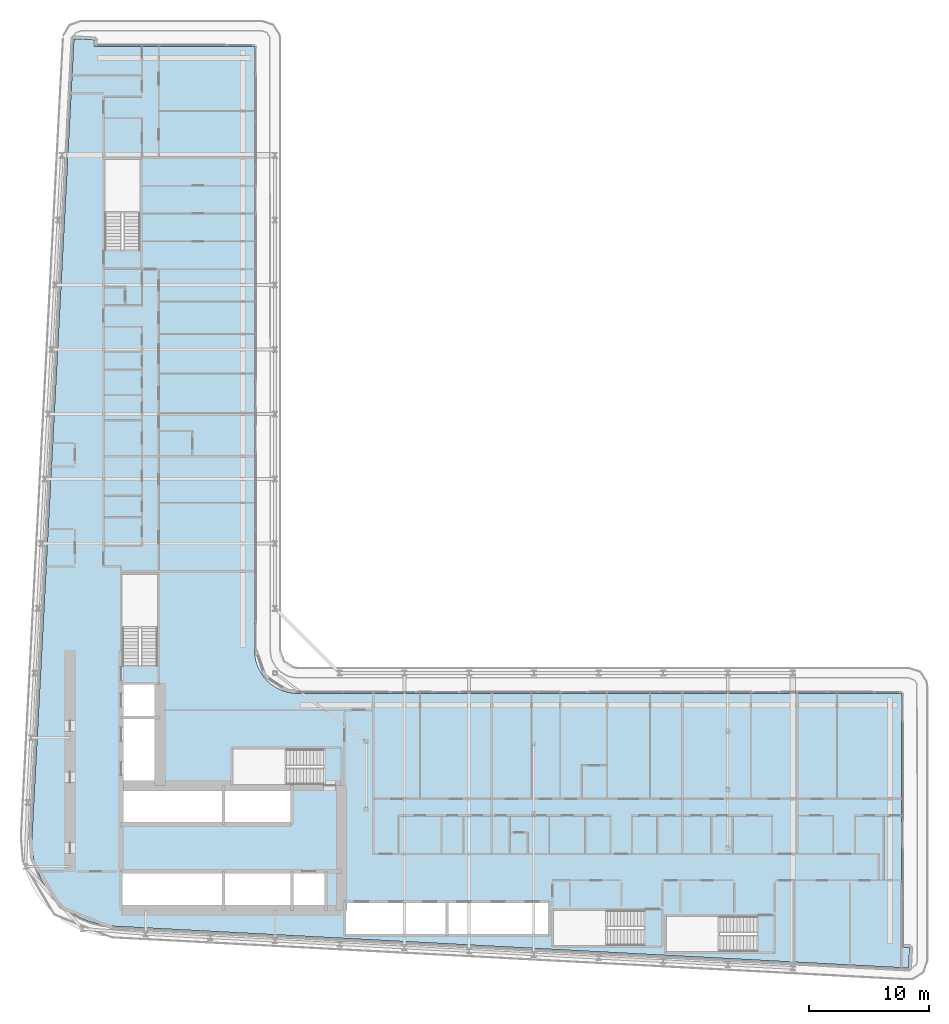
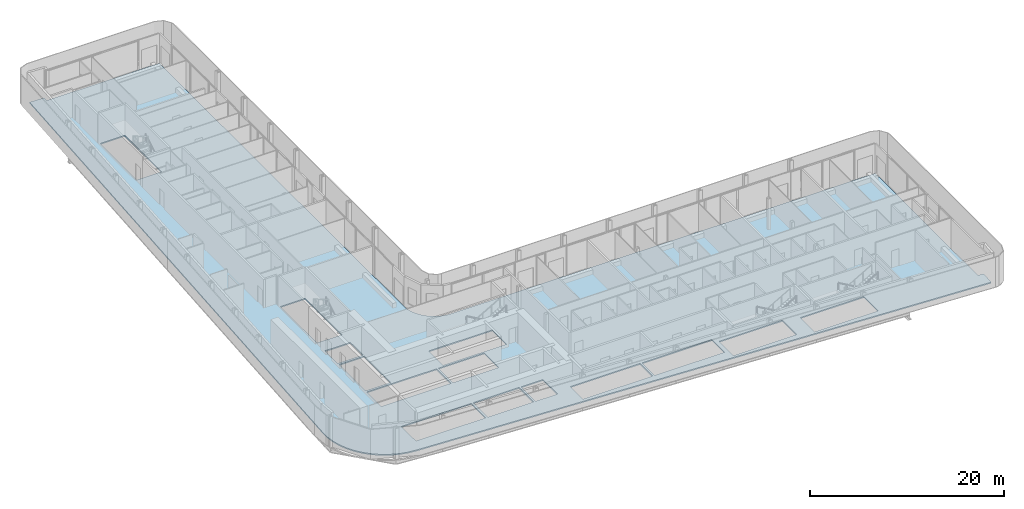
# One storey, part 11 of 28: 1 slab.
"""IFC4 building model written with IfcOpenShell, lengths in metres."""

import ifcopenshell
import ifcopenshell.guid

model = None  # the IFC model being written
_history = None  # IfcOwnerHistory: only IFC2X3 demands one
_inside = {}  # id of a spatial element -> (the spatial element, [elements in it])
_under = {}  # id of a project, library or spatial element -> (it, [spatial elements below it])
_declared = {}  # id of a project -> (the project, [libraries it declares])
_typed = {}  # id of a type object -> (the type object, [elements of that type])
_made_of = {}  # id of a material, layer set ... -> (it, [elements and type objects made of it])


def new_model(schema):
    """Start an empty IFC model of exactly this schema.

    Asked for "IFC4X3", IfcOpenShell would pick the latest addendum, in which some entities
    have other attributes; the version numbers below select the first issue.
    IFC2X3 requires an IfcOwnerHistory on every rooted entity: one is made here for all.
    """
    global model, _history
    if schema == "IFC4X3":
        model = ifcopenshell.file(schema_version=(4, 3, 0, 0))
    else:
        model = ifcopenshell.file(schema=schema)
    _inside.clear()
    _under.clear()
    _declared.clear()
    _typed.clear()
    _made_of.clear()
    _history = None
    if model.schema == "IFC2X3":
        org = make("IfcOrganization", Name="unknown")
        user = make(
            "IfcPersonAndOrganization",
            ThePerson=make("IfcPerson", FamilyName="unknown"),
            TheOrganization=org,
        )
        app = make(
            "IfcApplication",
            ApplicationDeveloper=org,
            Version="unknown",
            ApplicationFullName="unknown",
            ApplicationIdentifier="unknown",
        )
        _history = make(
            "IfcOwnerHistory",
            OwningUser=user,
            OwningApplication=app,
            ChangeAction="ADDED",
            CreationDate=0,
        )
    return model


def make(cls, **values):
    """One entity of the class cls with the attributes given. An attribute that is None is left unset."""
    return model.create_entity(
        cls, **{name: value for name, value in values.items() if value is not None}
    )


def rooted(cls, **values):
    """An entity with a GlobalId (a new one), such as an element, a storey or a relation."""
    return make(cls, GlobalId=ifcopenshell.guid.new(), OwnerHistory=_history, **values)


def si_unit(unit_type, name, prefix=None):
    """IfcSIUnit, for example si_unit("LENGTHUNIT", "METRE", prefix="MILLI")."""
    return make("IfcSIUnit", UnitType=unit_type, Prefix=prefix, Name=name)


def assignment(units):
    """IfcUnitAssignment: the units of a project."""
    return None if units is None else make("IfcUnitAssignment", Units=units)


def point(xyz):
    """IfcCartesianPoint."""
    return None if xyz is None else make("IfcCartesianPoint", Coordinates=xyz)


def direction(xyz):
    """IfcDirection."""
    return None if xyz is None else make("IfcDirection", DirectionRatios=xyz)


def frame(location, z_axis=None, x_axis=None):
    """IfcAxis2Placement3D, a coordinate frame: its origin and axes. An axis left out is left unset."""
    return make(
        "IfcAxis2Placement3D",
        Location=point(location),
        Axis=direction(z_axis),
        RefDirection=direction(x_axis),
    )


def origin():
    """The frame at (0, 0, 0) with its axes left unset."""
    return frame((0.0, 0.0, 0.0))


def place(relative_to, where):
    """IfcLocalPlacement: puts the frame where relative to a parent placement (None: the world)."""
    return make(
        "IfcLocalPlacement", PlacementRelTo=relative_to, RelativePlacement=where
    )


def context(
    kind, dimensions, precision=None, world=None, true_north=None, identifier=None
):
    """IfcGeometricRepresentationContext, for example the 3D "Model" context."""
    return make(
        "IfcGeometricRepresentationContext",
        ContextIdentifier=identifier,
        ContextType=kind,
        CoordinateSpaceDimension=dimensions,
        Precision=precision,
        WorldCoordinateSystem=world,
        TrueNorth=true_north,
    )


def subcontext(parent, identifier, kind, view, scale=None):
    """IfcGeometricRepresentationSubContext, for example "Body" below "Model"."""
    return make(
        "IfcGeometricRepresentationSubContext",
        ContextIdentifier=identifier,
        ContextType=kind,
        ParentContext=parent,
        TargetScale=scale,
        TargetView=view,
    )


def project(units=None, contexts=None):
    """IfcProject with its units and contexts."""
    return rooted(
        "IfcProject",
        Name="project",
        RepresentationContexts=contexts,
        UnitsInContext=assignment(units),
    )


def spatial(cls, under=None, at=None, **own):
    """A site, building, storey or space (cls), placed at a placement, below another one or the project."""
    s = rooted(cls, ObjectPlacement=at, **own)
    if under is not None:
        _under.setdefault(under.id(), (under, []))[1].append(s)
    return s


def polyline(points):
    """IfcPolyline through the points."""
    return make("IfcPolyline", Points=[point(p) for p in points])


def outline(outer, holes=None, kind="AREA"):
    """IfcArbitraryClosedProfileDef: a profile drawn as a closed curve; with holes, ...WithVoids."""
    if holes is None:
        return make("IfcArbitraryClosedProfileDef", ProfileType=kind, OuterCurve=outer)
    return make(
        "IfcArbitraryProfileDefWithVoids",
        ProfileType=kind,
        OuterCurve=outer,
        InnerCurves=holes,
    )


def extrude(swept, where, along, depth):
    """IfcExtrudedAreaSolid: the profile swept, set in the frame where, extruded along a direction by depth."""
    return make(
        "IfcExtrudedAreaSolid",
        SweptArea=swept,
        Position=where,
        ExtrudedDirection=direction(along),
        Depth=depth,
    )


def shape(context_of_items, identifier, shape_type, items):
    """IfcShapeRepresentation: the items that make up one representation, for example the "Body"."""
    return make(
        "IfcShapeRepresentation",
        ContextOfItems=context_of_items,
        RepresentationIdentifier=identifier,
        RepresentationType=shape_type,
        Items=items,
    )


def material(Name=None, Category=None):
    """IfcMaterial."""
    return make("IfcMaterial", Name=Name, Category=Category)


def layer(
    of_material, thickness, ventilated=None, Name=None, Category=None, Priority=None
):
    """IfcMaterialLayer: one layer of a wall or slab, of a material (None: an air gap)."""
    return make(
        "IfcMaterialLayer",
        Material=of_material,
        LayerThickness=thickness,
        IsVentilated=ventilated,
        Name=Name,
        Category=Category,
        Priority=Priority,
    )


def layer_set(layers, Name=None):
    """IfcMaterialLayerSet."""
    return make("IfcMaterialLayerSet", MaterialLayers=layers, LayerSetName=Name)


def made_of(thing, what):
    """Note that an element or type object is made of a material, layer set ...; save() writes the relation."""
    if what is not None:
        _made_of.setdefault(what.id(), (what, []))[1].append(thing)
    return thing


def type_object(cls, material=None, **own):
    """A type object (cls), such as IfcWallType, which elements share."""
    return made_of(rooted(cls, **own), material)


def element(
    cls,
    number,
    at=None,
    inside=None,
    cuts=None,
    type_object=None,
    material=None,
    context=None,
    identifier="Body",
    shape_type=None,
    held_by="IfcProductDefinitionShape",
    body=None,
    shapes=None,
    **own,
):
    """One element of the class cls, such as IfcWall. Its Tag is "e" and its number.

    at: its placement. inside: the storey or other place that contains it. cuts: it is an
    opening in that element (IfcRelVoidsElement). A single representation is given by context,
    identifier, shape_type and body (its items); several are given by shapes. held_by: the class
    of the entity that holds the representations. save() writes the other relations.
    """
    e = rooted(cls, Tag="e%d" % number, ObjectPlacement=at, **own)
    if body is not None:
        shapes = [shape(context, identifier, shape_type, body)]
    if shapes is not None:
        e.Representation = make(held_by, Representations=shapes)
    if inside is not None:
        _inside.setdefault(inside.id(), (inside, []))[1].append(e)
    if cuts is not None:
        rooted(
            "IfcRelVoidsElement", RelatingBuildingElement=cuts, RelatedOpeningElement=e
        )
    if type_object is not None:
        _typed.setdefault(type_object.id(), (type_object, []))[1].append(e)
    return made_of(e, material)


def aggregate(whole, parts):
    """IfcRelAggregates: a whole, such as a stair, and the parts it consists of."""
    return rooted("IfcRelAggregates", RelatingObject=whole, RelatedObjects=parts)


def save(model, path):
    """Write the relations noted so far, then the file.

    IfcRelAggregates (storeys below a building ...), IfcRelContainedInSpatialStructure (elements
    in a storey), IfcRelDefinesByType, IfcRelAssociatesMaterial and IfcRelDeclares: one each for
    every whole, place, type object, material and project.
    """
    for whole, parts in _under.values():
        aggregate(whole, parts)
    for where, things in _inside.values():
        rooted(
            "IfcRelContainedInSpatialStructure",
            RelatedElements=things,
            RelatingStructure=where,
        )
    for kind, things in _typed.values():
        rooted("IfcRelDefinesByType", RelatedObjects=things, RelatingType=kind)
    for what, things in _made_of.values():
        rooted("IfcRelAssociatesMaterial", RelatedObjects=things, RelatingMaterial=what)
    for by, libraries in _declared.values():
        rooted("IfcRelDeclares", RelatingContext=by, RelatedDefinitions=libraries)
    model.write(path)


model = new_model("IFC4")

# Units and contexts
model_context = context("Model", 3, precision=1e-05, world=origin(), true_north=direction((0.0, 1.0)))
body_context = subcontext(model_context, "Body", "Model", "MODEL_VIEW")
ifc_project = project(units=[si_unit("LENGTHUNIT", "METRE"), si_unit("AREAUNIT", "SQUARE_METRE"), si_unit("VOLUMEUNIT", "CUBIC_METRE"), si_unit("PLANEANGLEUNIT", "RADIAN"), si_unit("MASSUNIT", "GRAM", prefix="KILO")], contexts=[model_context])

# Site, building, storey
site_placement = place(None, origin())
site = spatial("IfcSite", under=ifc_project, at=site_placement, CompositionType="ELEMENT")
building_placement = place(site_placement, origin())
building = spatial("IfcBuilding", under=site, at=building_placement, Name="Kheshtan School and Residences Tower", CompositionType="ELEMENT")
storey_placement = place(building_placement, frame((0.0, 0.0, 129.199951171875)))
storey = spatial("IfcBuildingStorey", under=building, at=storey_placement, Name="L30", CompositionType="ELEMENT", Elevation=129.199951171875)

# Slab
ifc_material = material(Name="Concrete C40/50", Category="concrete")
ifc_layer = layer(ifc_material, 0.14990234375)
ifc_layer_set = layer_set([ifc_layer], Name="Floor slab 150 Concrete C40/50")
slab_type = type_object("IfcSlabType", Name="Floor slab 150 Concrete C40/50", PredefinedType="FLOOR", material=ifc_layer_set)
slab_placement = place(storey_placement, frame((0.0, 0.0, -0.14990234375)))
element("IfcSlab", 1, at=slab_placement, inside=storey, type_object=slab_type, Name="Floor slab L30", PredefinedType="FLOOR", context=body_context, shape_type="SweptSolid", body=[
    extrude(outline(polyline([(27.718017578125, 29.200927734375), (27.466064453125, 30.093017578125), (27.466064453125, 30.093994140625), (27.3330078125, 31.013916015625), (27.320068359375, 31.965087890625), (27.320068359375, 31.970947265625), (30.822021484375, 98.5009765625), (30.822998046875, 98.508056640625), (30.825927734375, 98.531005859375), (30.825927734375, 98.531982421875), (30.826904296875, 98.531982421875), (31.422119140625, 98.5), (31.423095703125, 98.5), (31.423095703125, 98.4990234375), (31.423095703125, 98.4951171875), (31.423095703125, 98.493896484375), (31.424072265625, 98.493896484375), (31.424072265625, 98.492919921875), (31.425048828125, 98.492919921875), (31.426025390625, 98.492919921875), (31.426025390625, 98.493896484375), (31.427978515625, 98.49609375), (31.428955078125, 98.4970703125), (31.429931640625, 98.498046875), (31.430908203125, 98.498046875), (31.430908203125, 98.4990234375), (31.431884765625, 98.4990234375), (31.431884765625, 98.5), (31.43505859375, 98.5009765625), (31.43603515625, 98.501953125), (31.43896484375, 98.501953125), (31.43994140625, 98.501953125), (31.43994140625, 98.5029296875), (31.44091796875, 98.5029296875), (31.446044921875, 98.5029296875), (32.5009765625, 98.447021484375), (32.50390625, 98.447021484375), (32.5048828125, 98.447021484375), (32.5048828125, 98.446044921875), (32.506103515625, 98.446044921875), (32.510009765625, 98.446044921875), (32.510009765625, 98.445068359375), (32.510986328125, 98.445068359375), (32.510986328125, 98.444091796875), (32.511962890625, 98.444091796875), (32.511962890625, 98.443115234375), (32.512939453125, 98.443115234375), (32.513916015625, 98.443115234375), (32.513916015625, 98.44189453125), (32.514892578125, 98.44189453125), (32.51611328125, 98.44189453125), (32.51904296875, 98.43896484375), (32.51904296875, 98.43798828125), (32.51904296875, 98.43701171875), (32.52001953125, 98.43701171875), (32.52001953125, 98.43603515625), (32.52099609375, 98.43603515625), (32.52099609375, 98.43408203125), (32.52099609375, 98.43310546875), (32.52197265625, 98.43310546875), (32.52197265625, 98.431884765625), (32.52294921875, 98.431884765625), (32.52294921875, 98.430908203125), (32.52294921875, 98.428955078125), (32.52294921875, 98.427978515625), (32.52392578125, 98.427978515625), (32.52392578125, 98.427001953125), (32.52392578125, 98.422119140625), (32.4970703125, 97.9208984375), (32.4970703125, 97.91796875), (32.4970703125, 97.9169921875), (32.49609375, 97.9169921875), (32.49609375, 97.916015625), (32.49609375, 97.912109375), (32.4951171875, 97.910888671875), (32.4951171875, 97.909912109375), (32.493896484375, 97.909912109375), (32.493896484375, 97.908935546875), (32.492919921875, 97.908935546875), (32.492919921875, 97.907958984375), (32.489013671875, 97.904052734375), (32.488037109375, 97.904052734375), (32.488037109375, 97.903076171875), (32.488037109375, 97.902099609375), (32.488037109375, 97.90087890625), (32.489013671875, 97.90087890625), (32.489013671875, 97.89990234375), (32.489990234375, 97.89990234375), (45.85498046875, 97.89990234375), (45.864990234375, 97.89794921875), (45.865966796875, 97.89794921875), (45.868896484375, 97.89599609375), (45.8740234375, 97.89404296875), (45.8779296875, 97.89208984375), (45.881103515625, 97.889892578125), (45.881103515625, 97.888916015625), (45.882080078125, 97.888916015625), (45.882080078125, 97.887939453125), (45.883056640625, 97.887939453125), (45.884033203125, 97.885009765625), (45.885009765625, 97.885009765625), (45.885009765625, 97.884033203125), (45.887939453125, 97.883056640625), (45.887939453125, 97.882080078125), (45.888916015625, 97.882080078125), (45.888916015625, 97.881103515625), (45.889892578125, 97.881103515625), (45.89208984375, 97.8779296875), (45.89404296875, 97.8740234375), (45.89599609375, 97.868896484375), (45.89794921875, 97.865966796875), (45.89794921875, 97.864990234375), (45.89990234375, 97.85498046875), (45.89990234375, 47.429931640625), (45.927001953125, 47.030029296875), (46.01806640625, 46.570068359375), (46.01806640625, 46.569091796875), (46.169921875, 46.1201171875), (46.37890625, 45.697021484375), (46.638916015625, 45.30810546875), (46.949951171875, 44.950927734375), (46.950927734375, 44.949951171875), (47.30810546875, 44.638916015625), (47.697021484375, 44.37890625), (48.1201171875, 44.169921875), (48.569091796875, 44.01806640625), (48.570068359375, 44.01806640625), (49.030029296875, 43.927001953125), (49.429931640625, 43.89990234375), (99.85498046875, 43.89990234375), (99.864990234375, 43.89794921875), (99.865966796875, 43.89794921875), (99.868896484375, 43.89599609375), (99.8740234375, 43.89404296875), (99.8779296875, 43.89208984375), (99.881103515625, 43.889892578125), (99.881103515625, 43.888916015625), (99.882080078125, 43.888916015625), (99.882080078125, 43.887939453125), (99.883056640625, 43.887939453125), (99.884033203125, 43.885009765625), (99.885009765625, 43.885009765625), (99.885009765625, 43.884033203125), (99.887939453125, 43.883056640625), (99.887939453125, 43.882080078125), (99.888916015625, 43.882080078125), (99.888916015625, 43.881103515625), (99.889892578125, 43.881103515625), (99.89208984375, 43.8779296875), (99.89404296875, 43.8740234375), (99.89599609375, 43.868896484375), (99.89794921875, 43.865966796875), (99.89794921875, 43.864990234375), (99.89990234375, 43.85498046875), (99.89990234375, 22.708984375), (99.89990234375, 22.7080078125), (99.90087890625, 22.7080078125), (99.90087890625, 22.70703125), (99.902099609375, 22.70703125), (99.903076171875, 22.70703125), (99.903076171875, 22.7080078125), (99.905029296875, 22.7099609375), (99.906982421875, 22.7119140625), (99.907958984375, 22.7119140625), (99.907958984375, 22.712890625), (99.908935546875, 22.712890625), (99.908935546875, 22.714111328125), (99.909912109375, 22.714111328125), (99.912109375, 22.715087890625), (99.9130859375, 22.716064453125), (99.916015625, 22.716064453125), (99.9169921875, 22.716064453125), (99.9169921875, 22.717041015625), (99.91796875, 22.717041015625), (99.923095703125, 22.717041015625), (100.5380859375, 22.68408203125), (100.541015625, 22.68408203125), (100.5419921875, 22.68408203125), (100.5419921875, 22.68310546875), (100.54296875, 22.68310546875), (100.547119140625, 22.68310546875), (100.547119140625, 22.681884765625), (100.548095703125, 22.681884765625), (100.548095703125, 22.680908203125), (100.549072265625, 22.680908203125), (100.549072265625, 22.679931640625), (100.550048828125, 22.679931640625), (100.551025390625, 22.679931640625), (100.551025390625, 22.678955078125), (100.552001953125, 22.678955078125), (100.552978515625, 22.678955078125), (100.552978515625, 22.677978515625), (100.554931640625, 22.676025390625), (100.555908203125, 22.676025390625), (100.555908203125, 22.675048828125), (100.555908203125, 22.674072265625), (100.556884765625, 22.674072265625), (100.556884765625, 22.673095703125), (100.55810546875, 22.673095703125), (100.55810546875, 22.6708984375), (100.55810546875, 22.669921875), (100.55908203125, 22.669921875), (100.55908203125, 22.6689453125), (100.56005859375, 22.6689453125), (100.56005859375, 22.66796875), (100.56005859375, 22.666015625), (100.56005859375, 22.6650390625), (100.56103515625, 22.6650390625), (100.56103515625, 22.6640625), (100.56103515625, 22.658935546875), (100.5048828125, 21.60205078125), (100.5048828125, 21.59912109375), (100.5048828125, 21.597900390625), (100.50390625, 21.597900390625), (100.50390625, 21.596923828125), (100.50390625, 21.593017578125), (100.5029296875, 21.592041015625), (100.5029296875, 21.591064453125), (100.501953125, 21.591064453125), (100.501953125, 21.590087890625), (100.5009765625, 21.590087890625), (100.5009765625, 21.589111328125), (100.5, 21.587890625), (100.498046875, 21.5859375), (100.4970703125, 21.5849609375), (100.49609375, 21.5849609375), (100.49609375, 21.583984375), (100.49609375, 21.5830078125), (100.49609375, 21.58203125), (100.4970703125, 21.58203125), (100.4970703125, 21.5810546875), (100.498046875, 21.5810546875), (100.4990234375, 21.5810546875), (100.5, 21.5810546875), (100.5, 21.580078125), (100.468017578125, 20.985107421875), (100.468017578125, 20.98388671875), (100.467041015625, 20.98388671875), (100.443115234375, 20.98291015625), (100.43798828125, 20.98291015625), (34.056884765625, 24.47802734375), (33.114990234375, 24.590087890625), (32.215087890625, 24.819091796875), (32.214111328125, 24.819091796875), (31.35205078125, 25.1630859375), (30.541015625, 25.616943359375), (29.799072265625, 26.1708984375), (29.799072265625, 26.172119140625), (29.798095703125, 26.172119140625), (29.134033203125, 26.820068359375), (29.134033203125, 26.821044921875), (29.133056640625, 26.821044921875), (28.55908203125, 27.550048828125), (28.0849609375, 28.345947265625), (27.718017578125, 29.200927734375)]), holes=[polyline([(99.89990234375, 21.5869140625), (99.89990234375, 21.5830078125), (99.89990234375, 21.58203125), (99.90087890625, 21.58203125), (99.90087890625, 21.5810546875), (99.902099609375, 21.5810546875), (99.906005859375, 21.5810546875), (99.906982421875, 21.5810546875), (99.906982421875, 21.58203125), (99.907958984375, 21.58203125), (99.907958984375, 21.5830078125), (99.907958984375, 21.583984375), (99.906982421875, 21.583984375), (99.905029296875, 21.5859375), (99.904052734375, 21.5869140625), (99.903076171875, 21.587890625), (99.903076171875, 21.589111328125), (99.902099609375, 21.589111328125), (99.90087890625, 21.589111328125), (99.90087890625, 21.587890625), (99.89990234375, 21.587890625), (99.89990234375, 21.5869140625)]), polyline([(31.423095703125, 97.906005859375), (31.423095703125, 97.902099609375), (31.423095703125, 97.90087890625), (31.424072265625, 97.90087890625), (31.424072265625, 97.89990234375), (31.425048828125, 97.89990234375), (31.428955078125, 97.89990234375), (31.429931640625, 97.89990234375), (31.429931640625, 97.90087890625), (31.430908203125, 97.90087890625), (31.430908203125, 97.902099609375), (31.430908203125, 97.903076171875), (31.429931640625, 97.903076171875), (31.428955078125, 97.904052734375), (31.427978515625, 97.905029296875), (31.427001953125, 97.906005859375), (31.426025390625, 97.906982421875), (31.426025390625, 97.907958984375), (31.425048828125, 97.907958984375), (31.424072265625, 97.907958984375), (31.424072265625, 97.906982421875), (31.423095703125, 97.906982421875), (31.423095703125, 97.906005859375)]), polyline([(34.875, 28.925048828125), (34.875, 25.925048828125), (43.175048828125, 25.925048828125), (43.175048828125, 28.925048828125), (34.875, 28.925048828125)]), polyline([(43.425048828125, 25.925048828125), (48.875, 25.925048828125), (48.875, 28.925048828125), (43.425048828125, 28.925048828125), (43.425048828125, 25.925048828125)]), polyline([(43.175048828125, 36.074951171875), (34.875, 36.074951171875), (34.875, 33.074951171875), (43.175048828125, 33.074951171875), (43.175048828125, 36.074951171875)]), polyline([(34.875, 41.77490234375), (34.875, 36.324951171875), (37.875, 36.324951171875), (37.875, 41.77490234375), (34.875, 41.77490234375)]), polyline([(34.875, 44.625), (34.875, 42.02490234375), (37.875, 42.02490234375), (37.875, 44.625), (34.875, 44.625)]), polyline([(37.800048828125, 46.25), (37.800048828125, 53.81005859375), (34.85009765625, 53.81005859375), (34.85009765625, 46.260009765625), (36.25, 46.260009765625), (36.25, 46.25), (37.800048828125, 46.25)]), polyline([(33.39990234375, 88.4599609375), (33.39990234375, 80.909912109375), (34.800048828125, 80.909912109375), (34.800048828125, 80.89990234375), (36.35009765625, 80.89990234375), (36.35009765625, 88.4599609375), (33.39990234375, 88.4599609375)]), polyline([(87.81005859375, 22.35009765625), (87.81005859375, 23.75), (87.820068359375, 23.75), (87.820068359375, 25.300048828125), (80.260009765625, 25.300048828125), (80.260009765625, 22.35009765625), (87.81005859375, 22.35009765625)]), polyline([(70.85009765625, 22.85009765625), (78.39990234375, 22.85009765625), (78.39990234375, 24.25), (78.409912109375, 24.25), (78.409912109375, 25.800048828125), (70.85009765625, 25.800048828125), (70.85009765625, 22.85009765625)]), polyline([(61.824951171875, 26.425048828125), (53.52490234375, 26.425048828125), (53.52490234375, 23.824951171875), (61.824951171875, 23.824951171875), (61.824951171875, 26.425048828125)]), polyline([(62.074951171875, 23.824951171875), (70.375, 23.824951171875), (70.375, 26.425048828125), (62.074951171875, 26.425048828125), (62.074951171875, 23.824951171875)]), polyline([(49.125, 28.925048828125), (49.125, 25.925048828125), (51.72509765625, 25.925048828125), (51.72509765625, 28.925048828125), (49.125, 28.925048828125)]), polyline([(43.425048828125, 33.074951171875), (48.875, 33.074951171875), (48.875, 36.074951171875), (43.425048828125, 36.074951171875), (43.425048828125, 33.074951171875)]), polyline([(51.64990234375, 39.25), (44.090087890625, 39.25), (44.090087890625, 36.300048828125), (51.639892578125, 36.300048828125), (51.639892578125, 37.699951171875), (51.64990234375, 37.699951171875), (51.64990234375, 39.25)])]), origin(), (0.0, 0.0, 1.0), 0.14990234375),
])

save(model, "model.ifc")
